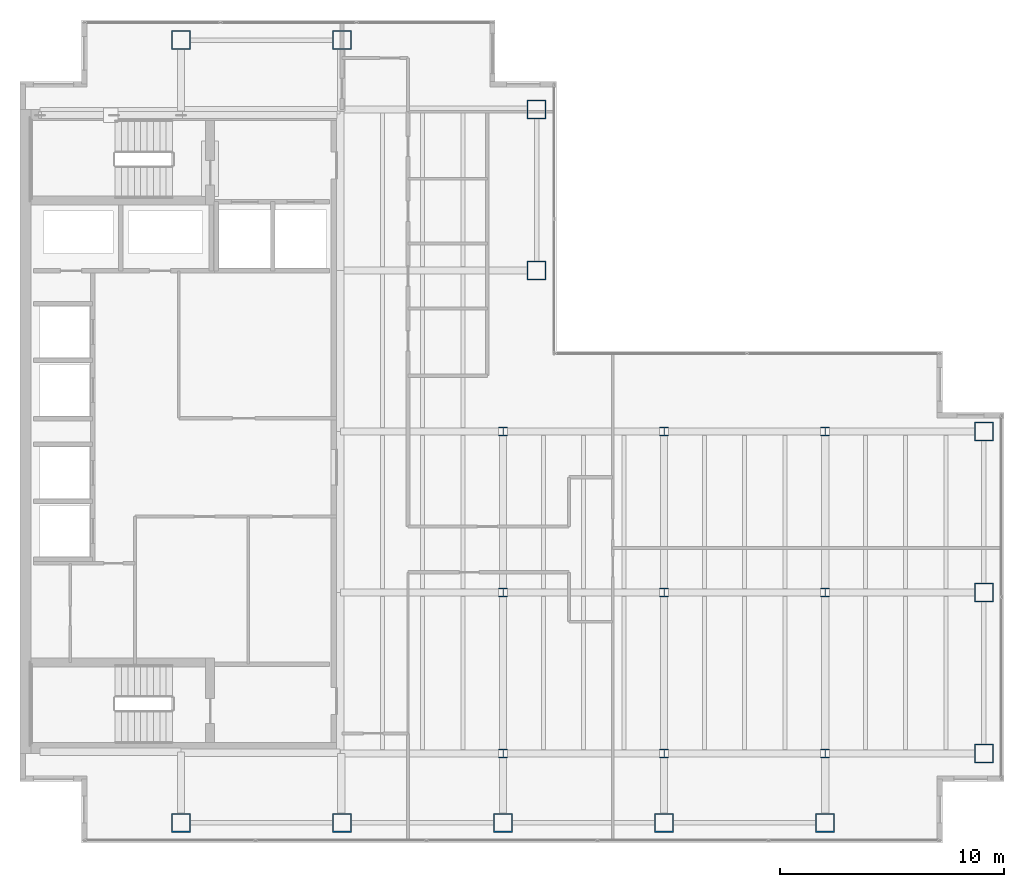
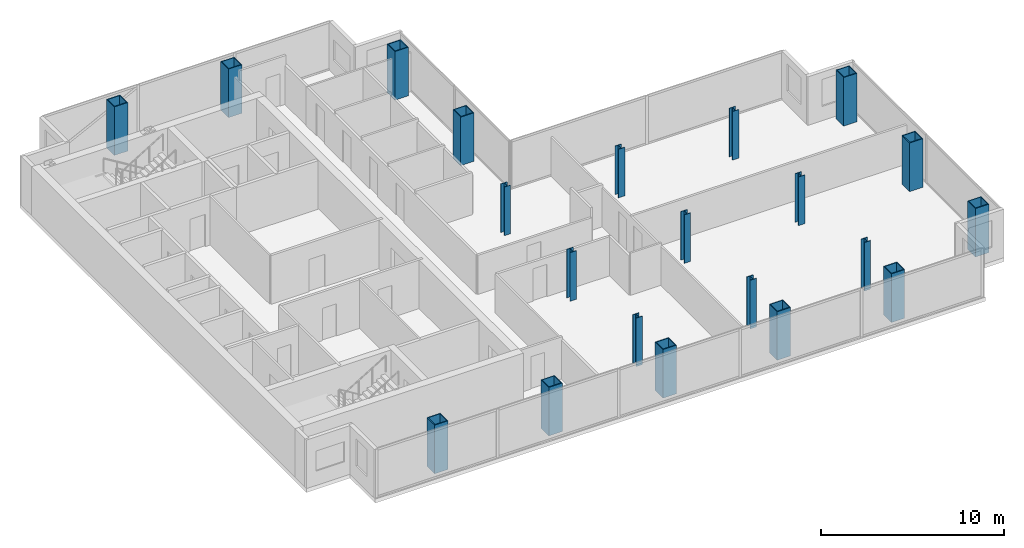
# One storey, part 1 of 23: 21 columns.
"""IFC4 building model written with IfcOpenShell, lengths in metres."""

from ifc_helpers import new_model, si_unit, direction, frame, origin, origin_2d, place, context, subcontext, project, spatial, hollow_rectangle, i_section, extrude, material, material_profile, profile_set, type_object, element, save


model = new_model("IFC4")

# Units and contexts
model_context = context("Model", 3, precision=1e-05, world=origin(), true_north=direction((0.0, 1.0)))
body_context = subcontext(model_context, "Body", "Model", "MODEL_VIEW")
ifc_project = project(units=[si_unit("LENGTHUNIT", "METRE"), si_unit("AREAUNIT", "SQUARE_METRE"), si_unit("VOLUMEUNIT", "CUBIC_METRE"), si_unit("PLANEANGLEUNIT", "RADIAN"), si_unit("MASSUNIT", "GRAM", prefix="KILO")], contexts=[model_context])

# Site, building, storey
site_placement = place(None, origin())
site = spatial("IfcSite", under=ifc_project, at=site_placement, CompositionType="ELEMENT")
building_placement = place(site_placement, origin())
building = spatial("IfcBuilding", under=site, at=building_placement, Name="Cobrela Telecom Tower", CompositionType="ELEMENT")
storey_placement = place(building_placement, frame((0.0, 0.0, 183.75)))
storey = spatial("IfcBuildingStorey", under=building, at=storey_placement, Name="L46", CompositionType="ELEMENT", Elevation=183.75)

# Columns
ifc_material_1 = material(Name="Steel ASTM A992 Grade 50", Category="steel")
ifc_material_profile_1 = material_profile(ifc_material_1, i_section(OverallWidth=0.39892578125, OverallDepth=0.39404296875, WebThickness=0.022705078125, FlangeThickness=0.03662109375, FilletRadius=0.01806640625, at=origin_2d()), Name="W14X193")
ifc_profile_set_1 = profile_set([ifc_material_profile_1], Name="Steel ASTM A992 Grade 50")
column_type_1 = type_object("IfcColumnType", Name="COL-INT-06", PredefinedType="COLUMN", material=ifc_profile_set_1)
for number, where, z_axis, x_axis, name in (
    (1, (21.60009765625, 7.199951171875, 0.0), (0.0, 0.0, 1.0), (1.0, 0.0, 0.0), "L46 Interior Column 06"),
    (2, (21.60009765625, 14.39990234375, 0.0), (0.0, 0.0, 1.0), (1.0, 0.0, 0.0), "L46 Interior Column 07"),
    (3, (21.60009765625, 21.60009765625, 0.0), (0.0, 0.0, 1.0), (1.0, 0.0, 0.0), "L46 Interior Column 08"),
    (4, (28.800048828125, 7.199951171875, 0.0), (0.0, 0.0, 1.0), (1.0, 0.0, 0.0), "L46 Interior Column 12"),
    (5, (28.800048828125, 14.39990234375, 0.0), (0.0, 0.0, 1.0), (1.0, 0.0, 0.0), "L46 Interior Column 13"),
    (6, (28.800048828125, 21.60009765625, 0.0), (0.0, 0.0, 1.0), (1.0, 0.0, 0.0), "L46 Interior Column 14"),
    (7, (36.0, 7.199951171875, 0.0), (0.0, 0.0, 1.0), (1.0, 0.0, 0.0), "L46 Interior Column 16"),
    (8, (36.0, 14.39990234375, 0.0), (0.0, 0.0, 1.0), (1.0, 0.0, 0.0), "L46 Interior Column 17"),
    (9, (36.0, 21.60009765625, 0.0), (0.0, 0.0, 1.0), (1.0, 0.0, 0.0), "L46 Interior Column 18"),
):
    element("IfcColumn", number, at=place(storey_placement, frame(where, z_axis=z_axis, x_axis=x_axis)), inside=storey, type_object=column_type_1, Name=name, PredefinedType="COLUMN", context=body_context, shape_type="SweptSolid", body=[
        extrude(i_section(OverallWidth=0.39892578125, OverallDepth=0.39404296875, WebThickness=0.022705078125, FlangeThickness=0.03662109375, FilletRadius=0.01806640625, at=origin_2d()), origin(), (0.0, 0.0, 1.0), 3.239990234375),
    ])
ifc_material_2 = material(Name="Steel ASTM A572 Grade 50", Category="steel")
ifc_material_profile_2 = material_profile(ifc_material_2, hollow_rectangle(XDim=0.85009765625, YDim=0.85009765625, WallThickness=0.050048828125, at=origin_2d()), Name="BOX 850x850x50")
ifc_profile_set_2 = profile_set([ifc_material_profile_2], Name="Steel ASTM A572 Grade 50")
column_type_2 = type_object("IfcColumnType", Name="COL-MEGA-06", PredefinedType="COLUMN", material=ifc_profile_set_2)
for number, where, z_axis, x_axis, name in (
    (10, (7.199951171875, 4.10009765625, 0.0), (0.0, 0.0, 1.0), (1.0, 0.0, 0.0), "L46 Perimeter Mega-Column 01"),
    (11, (7.199951171875, 39.10009765625, 0.0), (0.0, 0.0, 1.0), (1.0, 0.0, 0.0), "L46 Perimeter Mega-Column 02"),
    (12, (14.39990234375, 4.10009765625, 0.0), (0.0, 0.0, 1.0), (1.0, 0.0, 0.0), "L46 Perimeter Mega-Column 03"),
    (13, (14.39990234375, 39.10009765625, 0.0), (0.0, 0.0, 1.0), (1.0, 0.0, 0.0), "L46 Perimeter Mega-Column 04"),
    (14, (21.60009765625, 4.10009765625, 0.0), (0.0, 0.0, 1.0), (1.0, 0.0, 0.0), "L46 Perimeter Mega-Column 05"),
    (15, (23.10009765625, 28.800048828125, 0.0), (0.0, 0.0, 1.0), (1.0, 0.0, 0.0), "L46 Perimeter Mega-Column 09"),
    (16, (23.10009765625, 36.0, 0.0), (0.0, 0.0, 1.0), (1.0, 0.0, 0.0), "L46 Perimeter Mega-Column 10"),
    (17, (28.800048828125, 4.10009765625, 0.0), (0.0, 0.0, 1.0), (1.0, 0.0, 0.0), "L46 Perimeter Mega-Column 11"),
    (18, (36.0, 4.10009765625, 0.0), (0.0, 0.0, 1.0), (1.0, 0.0, 0.0), "L46 Perimeter Mega-Column 15"),
    (19, (43.10009765625, 7.199951171875, 0.0), (0.0, 0.0, 1.0), (1.0, 0.0, 0.0), "L46 Perimeter Mega-Column 19"),
    (20, (43.10009765625, 14.39990234375, 0.0), (0.0, 0.0, 1.0), (1.0, 0.0, 0.0), "L46 Perimeter Mega-Column 20"),
    (21, (43.10009765625, 21.60009765625, 0.0), (0.0, 0.0, 1.0), (1.0, 0.0, 0.0), "L46 Perimeter Mega-Column 21"),
):
    element("IfcColumn", number, at=place(storey_placement, frame(where, z_axis=z_axis, x_axis=x_axis)), inside=storey, type_object=column_type_2, Name=name, PredefinedType="COLUMN", context=body_context, shape_type="SweptSolid", body=[
        extrude(hollow_rectangle(XDim=0.85009765625, YDim=0.85009765625, WallThickness=0.050048828125, at=origin_2d()), origin(), (0.0, 0.0, 1.0), 3.239990234375),
    ])

save(model, "model.ifc")
